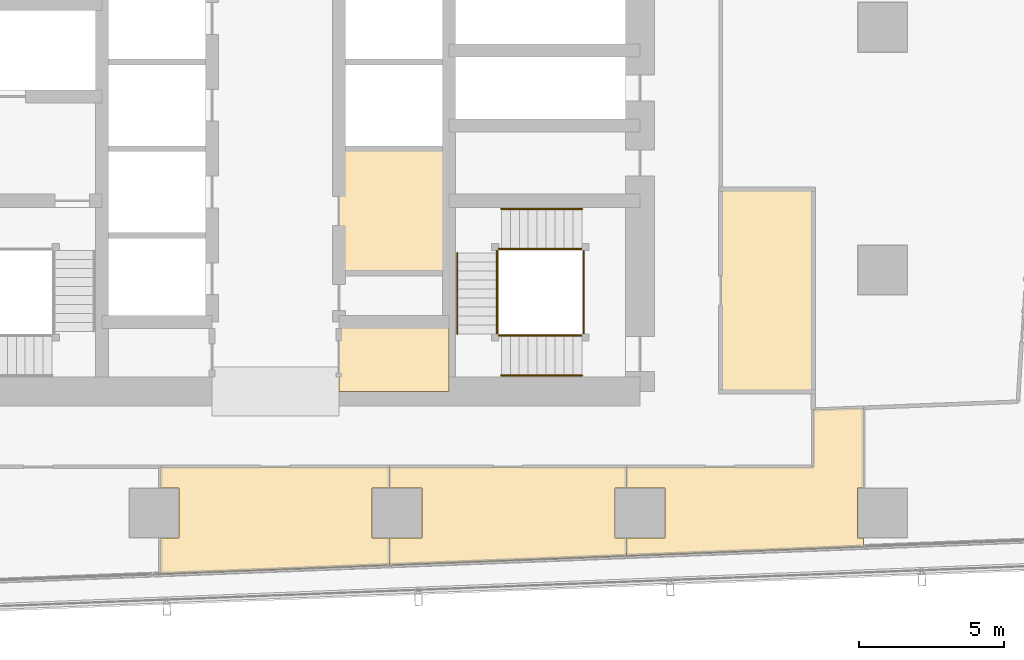
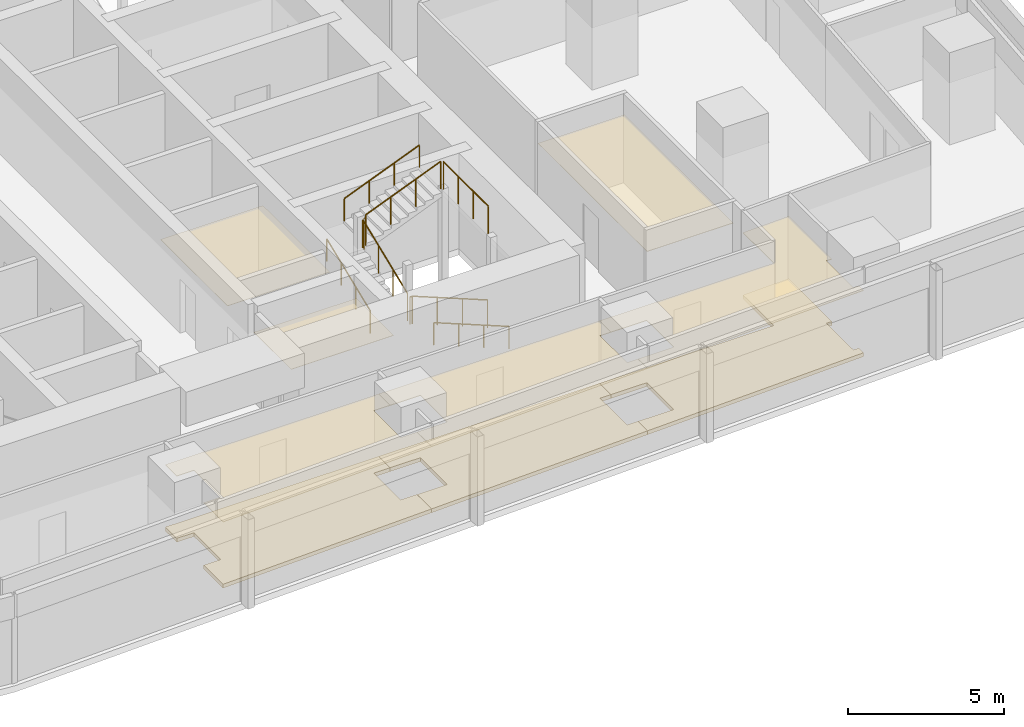
# One storey, part 37 of 40: 10 railings, 9 coverings.
"""IFC4 building model written with IfcOpenShell, lengths in metres."""

from ifc_helpers import new_model, si_unit, direction, frame, origin, origin_2d, place, context, subcontext, project, spatial, polyline, circle, outline, extrude, material, layer, layer_set, type_object, element, save


model = new_model("IFC4")

# Units and contexts
model_context = context("Model", 3, precision=1e-05, world=origin(), true_north=direction((0.0, 1.0)))
body_context = subcontext(model_context, "Body", "Model", "MODEL_VIEW")
ifc_project = project(units=[si_unit("LENGTHUNIT", "METRE"), si_unit("AREAUNIT", "SQUARE_METRE"), si_unit("VOLUMEUNIT", "CUBIC_METRE"), si_unit("PLANEANGLEUNIT", "RADIAN"), si_unit("MASSUNIT", "GRAM", prefix="KILO")], contexts=[model_context])

# Site, building, storey
site_placement = place(None, origin())
site = spatial("IfcSite", under=ifc_project, at=site_placement, CompositionType="ELEMENT")
building_placement = place(site_placement, origin())
building = spatial("IfcBuilding", under=site, at=building_placement, Name="Rekha Terrace Tower", CompositionType="ELEMENT")
storey_placement = place(building_placement, frame((0.0, 0.0, 117.800048828125)))
storey = spatial("IfcBuildingStorey", under=building, at=storey_placement, Name="L29", CompositionType="ELEMENT", Elevation=117.800048828125)

# Coverings
ifc_material_1 = material(Name="Mineral fibre tile in exposed grid", Category="finish")
ifc_layer_1 = layer(ifc_material_1, 0.02001953125)
ifc_layer_set_1 = layer_set([ifc_layer_1], Name="Mineral fibre tile in exposed grid")
covering_type_1 = type_object("IfcCoveringType", Name="CL1 600x1200 office grid ceiling", PredefinedType="CEILING", material=ifc_layer_set_1)
covering_1_placement = place(storey_placement, frame((0.0, 0.0, 2.579833984375)))
element("IfcCovering", 1, at=covering_1_placement, inside=storey, type_object=covering_type_1, Name="Ceiling L29-02", PredefinedType="CEILING", context=body_context, shape_type="SweptSolid", body=[
    extrude(outline(polyline([(49.93603515625, 17.6650390625), (49.93603515625, 18.39990234375), (41.740966796875, 18.39990234375), (41.740966796875, 17.6650390625), (42.864990234375, 17.6650390625), (42.864990234375, 15.93505859375), (41.740966796875, 15.93505859375), (41.740966796875, 15.0), (49.93603515625, 15.319091796875), (49.93603515625, 15.93505859375), (49.534912109375, 15.93505859375), (49.534912109375, 17.6650390625), (49.93603515625, 17.6650390625)])), origin(), (0.0, 0.0, 1.0), 0.02001953125),
])
covering_2_placement = place(storey_placement, frame((0.0, 0.0, 2.579833984375)))
element("IfcCovering", 2, at=covering_2_placement, inside=storey, type_object=covering_type_1, Name="Ceiling L29-03", PredefinedType="CEILING", context=body_context, shape_type="SweptSolid", body=[
    extrude(outline(polyline([(56.39990234375, 20.3740234375), (56.39990234375, 18.39990234375), (49.93701171875, 18.39990234375), (49.93701171875, 17.6650390625), (51.264892578125, 17.6650390625), (51.264892578125, 15.93505859375), (49.93701171875, 15.93505859375), (49.93701171875, 15.319091796875), (58.133056640625, 15.637939453125), (58.133056640625, 15.93505859375), (57.93505859375, 15.93505859375), (57.93505859375, 17.6650390625), (58.133056640625, 17.6650390625), (58.133056640625, 20.44189453125), (56.39990234375, 20.3740234375)])), origin(), (0.0, 0.0, 1.0), 0.02001953125),
])
covering_3_placement = place(storey_placement, frame((0.0, 0.0, 2.579833984375)))
element("IfcCovering", 3, at=covering_3_placement, inside=storey, type_object=covering_type_1, Name="Ceiling L29-23", PredefinedType="CEILING", context=body_context, shape_type="SweptSolid", body=[
    extrude(outline(polyline([(33.825927734375, 15.93505859375), (33.825927734375, 14.69189453125), (41.739990234375, 15.0), (41.739990234375, 15.93505859375), (41.135009765625, 15.93505859375), (41.135009765625, 17.6650390625), (41.739990234375, 17.6650390625), (41.739990234375, 18.39990234375), (33.825927734375, 18.39990234375), (33.825927734375, 17.6650390625), (34.465087890625, 17.6650390625), (34.465087890625, 15.93505859375), (33.825927734375, 15.93505859375)])), origin(), (0.0, 0.0, 1.0), 0.02001953125),
])
ifc_material_2 = material(Name="Fibre cement board", Category="finish")
ifc_layer_2 = layer(ifc_material_2, 0.014892578125)
ifc_layer_set_2 = layer_set([ifc_layer_2], Name="Fibre cement board")
covering_type_2 = type_object("IfcCoveringType", Name="CL2 moisture-resistant board ceiling", PredefinedType="CEILING", material=ifc_layer_set_2)
covering_4_placement = place(storey_placement, frame((0.0, 0.0, 2.5849609375)))
element("IfcCovering", 4, at=covering_4_placement, inside=storey, type_object=covering_type_2, Name="Ceiling L29-WCA", PredefinedType="CEILING", context=body_context, shape_type="SweptSolid", body=[
    extrude(outline(polyline([(43.800048828125, 23.39990234375), (40.0, 23.39990234375), (40.0, 21.0), (43.800048828125, 21.0), (43.800048828125, 23.39990234375)])), origin(), (0.0, 0.0, 1.0), 0.014892578125),
])
covering_5_placement = place(storey_placement, frame((0.0, 0.0, 2.5849609375)))
element("IfcCovering", 5, at=covering_5_placement, inside=storey, type_object=covering_type_2, Name="Ceiling L29-FSE2", PredefinedType="CEILING", context=body_context, shape_type="SweptSolid", body=[
    extrude(outline(polyline([(43.800048828125, 29.39990234375), (40.0, 29.39990234375), (40.0, 25.10009765625), (43.800048828125, 25.10009765625), (43.800048828125, 29.39990234375)])), origin(), (0.0, 0.0, 1.0), 0.014892578125),
])
covering_6_placement = place(storey_placement, frame((0.0, 0.0, 2.5849609375)))
element("IfcCovering", 6, at=covering_6_placement, inside=storey, type_object=covering_type_2, Name="Ceiling L29-WCM2", PredefinedType="CEILING", context=body_context, shape_type="SweptSolid", body=[
    extrude(outline(polyline([(56.39990234375, 28.0), (53.199951171875, 28.0), (53.199951171875, 21.0), (56.39990234375, 21.0), (56.39990234375, 28.0)])), origin(), (0.0, 0.0, 1.0), 0.014892578125),
])

# Railings
ifc_material_3 = material(Name="Stainless steel balustrade", Category="steel")
railing_type_1 = type_object("IfcRailingType", Name="GR1 1100 stair guard", PredefinedType="GUARDRAIL", material=ifc_material_3)
railing_1_placement = place(storey_placement, frame((48.39990234375, 22.93994140625, 0.125)))
element("IfcRailing", 7, at=railing_1_placement, inside=storey, type_object=railing_type_1, Name="Guard ST3 L29 flight 1", PredefinedType="GUARDRAIL", context=body_context, shape_type="SweptSolid", body=[
    extrude(circle(Radius=0.02392578125, at=origin_2d()), frame((0.0, 0.0, 1.076171875), z_axis=(-0.927431937212, 0.0, 0.373991980981), x_axis=(0.0, -1.0, 0.0)), (0.0, 0.0, 1.0), 3.008056640625),
    extrude(circle(Radius=0.02099609375, at=origin_2d()), origin(), (0.0, 0.0, 1.0), 1.052001953125),
    extrude(circle(Radius=0.02099609375, at=origin_2d()), frame((-0.929931640625, 0.0, 0.375)), (0.0, 0.0, 1.0), 1.052001953125),
    extrude(circle(Radius=0.02099609375, at=origin_2d()), frame((-1.85986328125, 0.0, 0.75)), (0.0, 0.0, 1.0), 1.052001953125),
    extrude(circle(Radius=0.02099609375, at=origin_2d()), frame((-2.789794921875, 0.0, 1.125)), (0.0, 0.0, 1.0), 1.052001953125),
])
railing_2_placement = place(storey_placement, frame((45.465087890625, 23.0, 1.375)))
element("IfcRailing", 8, at=railing_2_placement, inside=storey, type_object=railing_type_1, Name="Guard ST3 L29 flight 2", PredefinedType="GUARDRAIL", context=body_context, shape_type="SweptSolid", body=[
    extrude(circle(Radius=0.02392578125, at=origin_2d()), frame((0.0, 0.0, 1.076171875), z_axis=(0.0, 0.927443287984, 0.373963831907), x_axis=(-1.0, 0.0, 0.0)), (0.0, 0.0, 1.0), 3.00830078125),
    extrude(circle(Radius=0.02099609375, at=origin_2d()), origin(), (0.0, 0.0, 1.0), 1.052001953125),
    extrude(circle(Radius=0.02099609375, at=origin_2d()), frame((0.0, 0.929931640625, 0.375)), (0.0, 0.0, 1.0), 1.052001953125),
    extrude(circle(Radius=0.02099609375, at=origin_2d()), frame((0.0, 1.860107421875, 0.75)), (0.0, 0.0, 1.0), 1.052001953125),
    extrude(circle(Radius=0.02099609375, at=origin_2d()), frame((0.0, 2.7900390625, 1.125)), (0.0, 0.0, 1.0), 1.052001953125),
])
railing_3_placement = place(storey_placement, frame((45.610107421875, 25.93505859375, 2.625)))
element("IfcRailing", 9, at=railing_3_placement, inside=storey, type_object=railing_type_1, Name="Guard ST3 L29 flight 3", PredefinedType="GUARDRAIL", context=body_context, shape_type="SweptSolid", body=[
    extrude(circle(Radius=0.02392578125, at=origin_2d()), frame((0.0, 0.0, 1.076171875), z_axis=(0.927431937212, 0.0, 0.373991980981), x_axis=(0.0, 1.0, 0.0)), (0.0, 0.0, 1.0), 3.008056640625),
    extrude(circle(Radius=0.02099609375, at=origin_2d()), origin(), (0.0, 0.0, 1.0), 1.052001953125),
    extrude(circle(Radius=0.02099609375, at=origin_2d()), frame((0.929931640625, 0.0, 0.375)), (0.0, 0.0, 1.0), 1.052001953125),
    extrude(circle(Radius=0.02099609375, at=origin_2d()), frame((1.85986328125, 0.0, 0.75)), (0.0, 0.0, 1.0), 1.052001953125),
    extrude(circle(Radius=0.02099609375, at=origin_2d()), frame((2.789794921875, 0.0, 1.125)), (0.0, 0.0, 1.0), 1.052001953125),
])
railing_4_placement = place(storey_placement, frame((45.610107421875, 22.93994140625, 1.25)))
element("IfcRailing", 10, at=railing_4_placement, inside=storey, type_object=railing_type_1, Name="Guard ST3 L29 landing 1", PredefinedType="GUARDRAIL", context=body_context, shape_type="SweptSolid", body=[
    extrude(circle(Radius=0.02392578125, at=origin_2d()), frame((0.0, 0.0, 1.076171875), z_axis=(-1.0, 0.0, 0.0), x_axis=(0.0, -1.0, 0.0)), (0.0, 0.0, 1.0), 0.085205078125),
    extrude(circle(Radius=0.02099609375, at=origin_2d()), origin(), (0.0, 0.0, 1.0), 1.052001953125),
    extrude(circle(Radius=0.02099609375, at=origin_2d()), frame((-0.085205078125, 0.0, 0.0)), (0.0, 0.0, 1.0), 1.052001953125),
])
railing_5_placement = place(storey_placement, frame((45.465087890625, 25.7900390625, 2.5)))
element("IfcRailing", 11, at=railing_5_placement, inside=storey, type_object=railing_type_1, Name="Guard ST3 L29 landing 2", PredefinedType="GUARDRAIL", context=body_context, shape_type="SweptSolid", body=[
    extrude(circle(Radius=0.02392578125, at=origin_2d()), frame((0.0, 0.0, 1.076171875), z_axis=(0.0, 1.0, 0.0), x_axis=(-1.0, 0.0, 0.0)), (0.0, 0.0, 1.0), 0.0849609375),
    extrude(circle(Radius=0.02099609375, at=origin_2d()), origin(), (0.0, 0.0, 1.0), 1.052001953125),
    extrude(circle(Radius=0.02099609375, at=origin_2d()), frame((0.0, 0.0849609375, 0.0)), (0.0, 0.0, 1.0), 1.052001953125),
])
railing_6_placement = place(storey_placement, frame((45.610107421875, 25.93505859375, 2.5)))
element("IfcRailing", 12, at=railing_6_placement, inside=storey, type_object=railing_type_1, Name="Guard ST3 L29 landing 3", PredefinedType="GUARDRAIL", context=body_context, shape_type="SweptSolid", body=[
    extrude(circle(Radius=0.02392578125, at=origin_2d()), frame((0.0, 0.0, 1.076171875), z_axis=(-1.0, 0.0, 0.0), x_axis=(0.0, -1.0, 0.0)), (0.0, 0.0, 1.0), 0.085205078125),
    extrude(circle(Radius=0.02099609375, at=origin_2d()), origin(), (0.0, 0.0, 1.0), 1.052001953125),
    extrude(circle(Radius=0.02099609375, at=origin_2d()), frame((-0.085205078125, 0.0, 0.0)), (0.0, 0.0, 1.0), 1.052001953125),
])
railing_7_placement = place(storey_placement, frame((48.4599609375, 23.0, 3.75)))
element("IfcRailing", 13, at=railing_7_placement, inside=storey, type_object=railing_type_1, Name="Guard ST3 L29 landing 4", PredefinedType="GUARDRAIL", context=body_context, shape_type="SweptSolid", body=[
    extrude(circle(Radius=0.02392578125, at=origin_2d()), frame((0.0, 0.0, 1.076171875), z_axis=(0.0, 1.0, 0.0), x_axis=(-1.0, 0.0, 0.0)), (0.0, 0.0, 1.0), 2.875),
    extrude(circle(Radius=0.02099609375, at=origin_2d()), origin(), (0.0, 0.0, 1.0), 1.052001953125),
    extrude(circle(Radius=0.02099609375, at=origin_2d()), frame((0.0, 0.958251953125, 0.0)), (0.0, 0.0, 1.0), 1.052001953125),
    extrude(circle(Radius=0.02099609375, at=origin_2d()), frame((0.0, 1.916748046875, 0.0)), (0.0, 0.0, 1.0), 1.052001953125),
    extrude(circle(Radius=0.02099609375, at=origin_2d()), frame((0.0, 2.875, 0.0)), (0.0, 0.0, 1.0), 1.052001953125),
])
ifc_material_4 = material(Name="Stainless steel tube", Category="steel")
railing_type_2 = type_object("IfcRailingType", Name="HR1 900 stair handrail", PredefinedType="HANDRAIL", material=ifc_material_4)
railing_8_placement = place(storey_placement, frame((48.39990234375, 21.56005859375, 0.125)))
element("IfcRailing", 14, at=railing_8_placement, inside=storey, type_object=railing_type_2, Name="Handrail ST3 L29 flight 1", PredefinedType="HANDRAIL", context=body_context, shape_type="SweptSolid", body=[
    extrude(circle(Radius=0.02392578125, at=origin_2d()), frame((0.0, 0.0, 0.8759765625), z_axis=(-0.927431937212, 0.0, 0.373991980981), x_axis=(0.0, -1.0, 0.0)), (0.0, 0.0, 1.0), 3.008056640625),
    extrude(circle(Radius=0.02099609375, at=origin_2d()), origin(), (0.0, 0.0, 1.0), 0.851806640625),
    extrude(circle(Radius=0.02099609375, at=origin_2d()), frame((-0.929931640625, 0.0, 0.375)), (0.0, 0.0, 1.0), 0.851806640625),
    extrude(circle(Radius=0.02099609375, at=origin_2d()), frame((-1.85986328125, 0.0, 0.75)), (0.0, 0.0, 1.0), 0.851806640625),
    extrude(circle(Radius=0.02099609375, at=origin_2d()), frame((-2.789794921875, 0.0, 1.125)), (0.0, 0.0, 1.0), 0.851806640625),
])
railing_9_placement = place(storey_placement, frame((44.0849609375, 23.0, 1.375)))
element("IfcRailing", 15, at=railing_9_placement, inside=storey, type_object=railing_type_2, Name="Handrail ST3 L29 flight 2", PredefinedType="HANDRAIL", context=body_context, shape_type="SweptSolid", body=[
    extrude(circle(Radius=0.02392578125, at=origin_2d()), frame((0.0, 0.0, 0.8759765625), z_axis=(0.0, 0.927443287984, 0.373963831907), x_axis=(-1.0, 0.0, 0.0)), (0.0, 0.0, 1.0), 3.00830078125),
    extrude(circle(Radius=0.02099609375, at=origin_2d()), origin(), (0.0, 0.0, 1.0), 0.851806640625),
    extrude(circle(Radius=0.02099609375, at=origin_2d()), frame((0.0, 0.929931640625, 0.375)), (0.0, 0.0, 1.0), 0.851806640625),
    extrude(circle(Radius=0.02099609375, at=origin_2d()), frame((0.0, 1.860107421875, 0.75)), (0.0, 0.0, 1.0), 0.851806640625),
    extrude(circle(Radius=0.02099609375, at=origin_2d()), frame((0.0, 2.7900390625, 1.125)), (0.0, 0.0, 1.0), 0.851806640625),
])
railing_10_placement = place(storey_placement, frame((45.610107421875, 27.31494140625, 2.625)))
element("IfcRailing", 16, at=railing_10_placement, inside=storey, type_object=railing_type_2, Name="Handrail ST3 L29 flight 3", PredefinedType="HANDRAIL", context=body_context, shape_type="SweptSolid", body=[
    extrude(circle(Radius=0.02392578125, at=origin_2d()), frame((0.0, 0.0, 0.8759765625), z_axis=(0.927431937212, 0.0, 0.373991980981), x_axis=(0.0, 1.0, 0.0)), (0.0, 0.0, 1.0), 3.008056640625),
    extrude(circle(Radius=0.02099609375, at=origin_2d()), origin(), (0.0, 0.0, 1.0), 0.851806640625),
    extrude(circle(Radius=0.02099609375, at=origin_2d()), frame((0.929931640625, 0.0, 0.375)), (0.0, 0.0, 1.0), 0.851806640625),
    extrude(circle(Radius=0.02099609375, at=origin_2d()), frame((1.85986328125, 0.0, 0.75)), (0.0, 0.0, 1.0), 0.851806640625),
    extrude(circle(Radius=0.02099609375, at=origin_2d()), frame((2.789794921875, 0.0, 1.125)), (0.0, 0.0, 1.0), 0.851806640625),
])

# Coverings
ifc_material_5 = material(Name="Calcium sulphate panels on steel pedestals", Category="steel")
ifc_layer_3 = layer(ifc_material_5, 0.14990234375)
ifc_layer_set_3 = layer_set([ifc_layer_3], Name="Calcium sulphate panels on steel pedestals")
covering_type_3 = type_object("IfcCoveringType", Name="RF1 150 raised access floor", PredefinedType="FLOORING", material=ifc_layer_set_3)
covering_7_placement = place(storey_placement, origin())
element("IfcCovering", 17, at=covering_7_placement, inside=storey, type_object=covering_type_3, Name="Raised floor L29-02", PredefinedType="FLOORING", context=body_context, shape_type="SweptSolid", body=[
    extrude(outline(polyline([(49.93603515625, 17.6650390625), (49.93603515625, 18.39990234375), (41.740966796875, 18.39990234375), (41.740966796875, 17.6650390625), (42.864990234375, 17.6650390625), (42.864990234375, 15.93505859375), (41.740966796875, 15.93505859375), (41.740966796875, 15.0), (49.93603515625, 15.319091796875), (49.93603515625, 15.93505859375), (49.534912109375, 15.93505859375), (49.534912109375, 17.6650390625), (49.93603515625, 17.6650390625)])), origin(), (0.0, 0.0, 1.0), 0.14990234375),
])
covering_8_placement = place(storey_placement, origin())
element("IfcCovering", 18, at=covering_8_placement, inside=storey, type_object=covering_type_3, Name="Raised floor L29-03", PredefinedType="FLOORING", context=body_context, shape_type="SweptSolid", body=[
    extrude(outline(polyline([(56.39990234375, 20.3740234375), (56.39990234375, 18.39990234375), (49.93701171875, 18.39990234375), (49.93701171875, 17.6650390625), (51.264892578125, 17.6650390625), (51.264892578125, 15.93505859375), (49.93701171875, 15.93505859375), (49.93701171875, 15.319091796875), (58.133056640625, 15.637939453125), (58.133056640625, 15.93505859375), (57.93505859375, 15.93505859375), (57.93505859375, 17.6650390625), (58.133056640625, 17.6650390625), (58.133056640625, 20.44189453125), (56.39990234375, 20.3740234375)])), origin(), (0.0, 0.0, 1.0), 0.14990234375),
])
covering_9_placement = place(storey_placement, origin())
element("IfcCovering", 19, at=covering_9_placement, inside=storey, type_object=covering_type_3, Name="Raised floor L29-23", PredefinedType="FLOORING", context=body_context, shape_type="SweptSolid", body=[
    extrude(outline(polyline([(33.825927734375, 15.93505859375), (33.825927734375, 14.69189453125), (41.739990234375, 15.0), (41.739990234375, 15.93505859375), (41.135009765625, 15.93505859375), (41.135009765625, 17.6650390625), (41.739990234375, 17.6650390625), (41.739990234375, 18.39990234375), (33.825927734375, 18.39990234375), (33.825927734375, 17.6650390625), (34.465087890625, 17.6650390625), (34.465087890625, 15.93505859375), (33.825927734375, 15.93505859375)])), origin(), (0.0, 0.0, 1.0), 0.14990234375),
])

save(model, "model.ifc")
